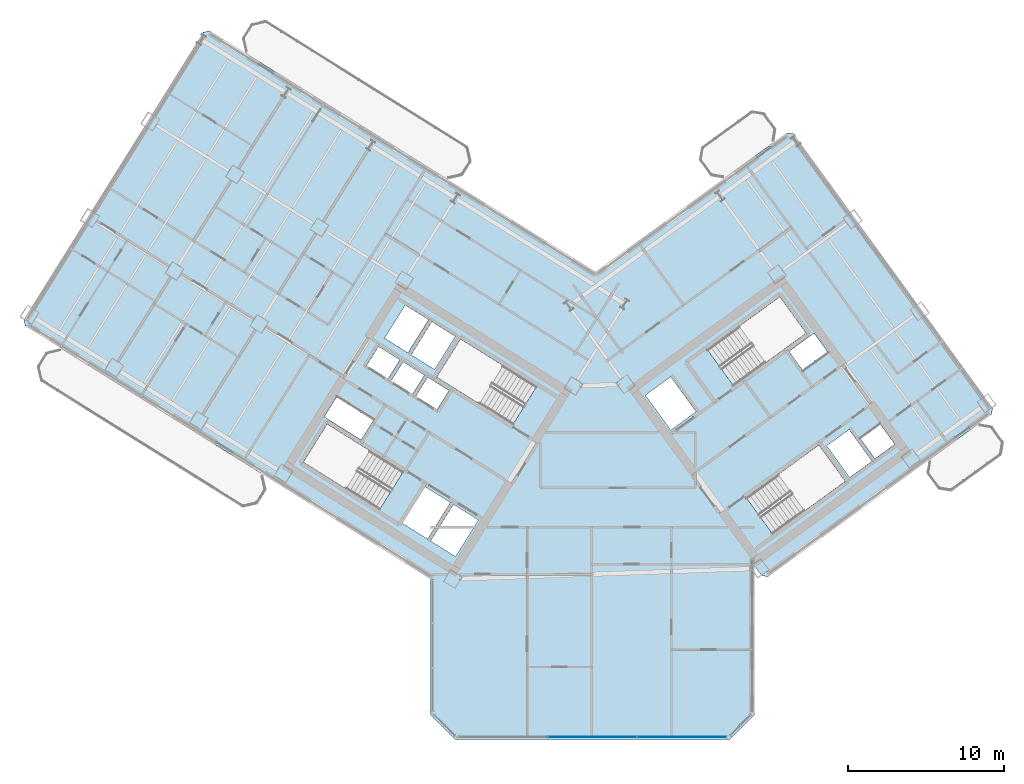
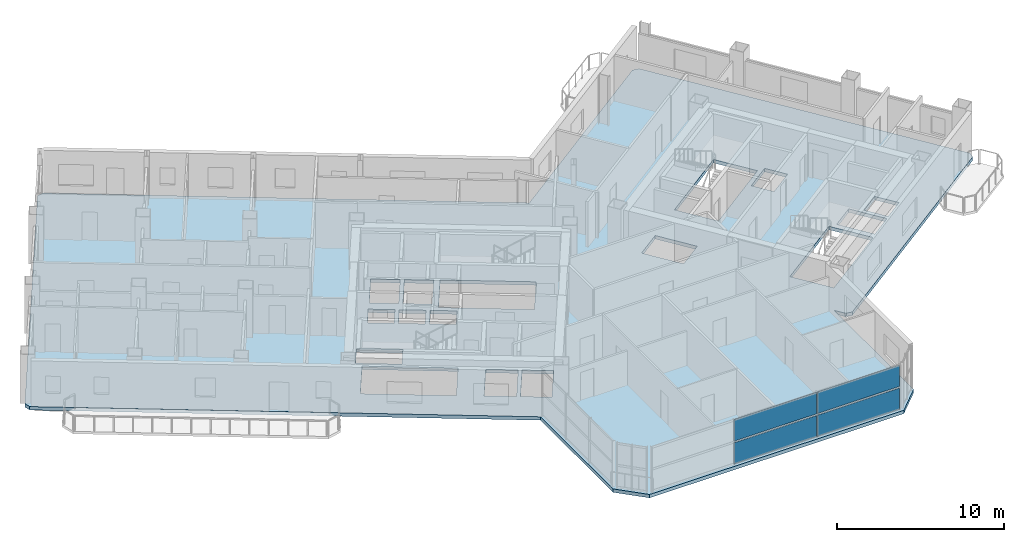
# One storey, part 9 of 21: 4 plates, 1 slab, 1 element without a shape of its own.
"""IFC4 building model written with IfcOpenShell, lengths in metres."""

from ifc_helpers import new_model, si_unit, direction, frame, origin, origin_2d, place, context, subcontext, project, spatial, polyline, rectangle, outline, extrude, source, transform, mapped, material, layer, layer_set, type_object, element, aggregate, save


model = new_model("IFC4")

# Units and contexts
model_context = context("Model", 3, precision=1e-05, world=origin(), true_north=direction((0.0, 1.0)))
body_context = subcontext(model_context, "Body", "Model", "MODEL_VIEW")
ifc_project = project(units=[si_unit("LENGTHUNIT", "METRE"), si_unit("AREAUNIT", "SQUARE_METRE"), si_unit("VOLUMEUNIT", "CUBIC_METRE"), si_unit("PLANEANGLEUNIT", "RADIAN"), si_unit("MASSUNIT", "GRAM", prefix="KILO")], contexts=[model_context])

# Site, building, storey
site_placement = place(None, origin())
site = spatial("IfcSite", under=ifc_project, at=site_placement, CompositionType="ELEMENT")
building_placement = place(site_placement, origin())
building = spatial("IfcBuilding", under=site, at=building_placement, Name="Tlacorven Tower", CompositionType="ELEMENT")
storey_placement = place(building_placement, frame((0.0, 0.0, 112.5)))
storey = spatial("IfcBuildingStorey", under=building, at=storey_placement, Name="L28", CompositionType="ELEMENT", Elevation=112.5)

# Slab
ifc_material_1 = material(Name="Concrete C40/50", Category="concrete")
ifc_layer_1 = layer(ifc_material_1, 0.25)
ifc_layer_set_1 = layer_set([ifc_layer_1], Name="Concrete C40/50")
slab_type = type_object("IfcSlabType", Name="SL-TWR-250", PredefinedType="FLOOR", material=ifc_layer_set_1)
slab_placement = place(storey_placement, frame((0.0, 0.0, -0.25)))
element("IfcSlab", 1, at=slab_placement, inside=storey, type_object=slab_type, Name="L28 Boomerang Tower Floor Slab", PredefinedType="FLOOR", context=body_context, shape_type="SweptSolid", body=[
    extrude(outline(polyline([(52.39990234375, 3.39990234375), (50.800048828125, 1.800048828125), (33.199951171875, 1.800048828125), (31.60009765625, 3.39990234375), (31.60009765625, 12.09423828125), (5.62451171875, 28.32568359375), (5.529052734375, 28.739013671875), (17.0390625, 47.15869140625), (17.452392578125, 47.254150390625), (42.19970703125, 31.790283203125), (54.481689453125, 40.713623046875), (54.90087890625, 40.647216796875), (67.66748046875, 23.075439453125), (67.60107421875, 22.656494140625), (53.265380859375, 12.24072265625), (52.846435546875, 12.30712890625), (52.39990234375, 12.921630859375), (52.39990234375, 3.39990234375)]), holes=[polyline([(29.865478515625, 18.979736328125), (24.9892578125, 22.02685546875), (23.463134765625, 19.58447265625), (28.33935546875, 16.537353515625), (29.865478515625, 18.979736328125)]), polyline([(38.4169921875, 24.4375), (33.540771484375, 27.484375), (32.0146484375, 25.0419921875), (36.890869140625, 21.9951171875), (38.4169921875, 24.4375)]), polyline([(51.05908203125, 24.481689453125), (55.7109375, 27.861572265625), (54.01806640625, 30.19140625), (49.3662109375, 26.811767578125), (51.05908203125, 24.481689453125)]), polyline([(53.56298828125, 14.978759765625), (58.21484375, 18.3583984375), (56.52197265625, 20.6884765625), (51.8701171875, 17.30859375), (53.56298828125, 14.978759765625)]), polyline([(34.682373046875, 15.87548828125), (33.088134765625, 16.871826171875), (31.62548828125, 14.531005859375), (33.2197265625, 13.534912109375), (34.682373046875, 15.87548828125)]), polyline([(32.884521484375, 16.9990234375), (31.2392578125, 18.02685546875), (29.77685546875, 15.686279296875), (31.421875, 14.658203125), (32.884521484375, 16.9990234375)]), polyline([(47.0234375, 21.648681640625), (48.6416015625, 22.82421875), (47.019287109375, 25.05712890625), (45.401123046875, 23.881591796875), (47.0234375, 21.648681640625)]), polyline([(33.197265625, 27.65185546875), (31.704833984375, 28.58447265625), (30.3798828125, 26.46435546875), (31.87255859375, 25.53173828125), (33.197265625, 27.65185546875)]), polyline([(31.484375, 28.722412109375), (29.99169921875, 29.655029296875), (28.6669921875, 27.534912109375), (30.159423828125, 26.602294921875), (31.484375, 28.722412109375)]), polyline([(32.794921875, 24.17724609375), (31.43798828125, 25.025146484375), (30.685546875, 23.82080078125), (32.042236328125, 22.972900390625), (32.794921875, 24.17724609375)]), polyline([(31.217529296875, 25.162841796875), (29.860595703125, 26.0107421875), (29.108154296875, 24.806396484375), (30.465087890625, 23.958740234375), (31.217529296875, 25.162841796875)]), polyline([(29.64013671875, 26.1484375), (28.283203125, 26.996337890625), (27.53076171875, 25.792236328125), (28.8876953125, 24.9443359375), (29.64013671875, 26.1484375)]), polyline([(58.498779296875, 18.614013671875), (59.922607421875, 19.648681640625), (58.453125, 21.671142578125), (57.029296875, 20.63671875), (58.498779296875, 18.614013671875)]), polyline([(27.96142578125, 22.2919921875), (25.603759765625, 23.76513671875), (24.80908203125, 22.4931640625), (27.16650390625, 21.02001953125), (27.96142578125, 22.2919921875)]), polyline([(55.490478515625, 25.4765625), (57.092529296875, 26.640380859375), (56.210693359375, 27.85400390625), (54.60888671875, 26.690185546875), (55.490478515625, 25.4765625)]), polyline([(60.12109375, 19.817626953125), (61.38330078125, 20.734619140625), (60.45458984375, 22.012939453125), (59.192626953125, 21.095947265625), (60.12109375, 19.817626953125)])]), origin(), (0.0, 0.0, 1.0), 0.25),
])

# Curtain wall, plates
ifc_material_2 = material(Name="Dark solar low-E double glazing in aluminium frame", Category="aluminium")
curtain_wall_type = type_object("IfcCurtainWallType", Name="CW-TWR-MID", PredefinedType="USERDEFINED", material=ifc_material_2)
curtain_wall_placement = place(storey_placement, origin())
curtain_wall = element("IfcCurtainWall", 2, at=curtain_wall_placement, inside=storey, type_object=curtain_wall_type, Name="L28 CW-TWR-MID Curtain Wall 140", ObjectType="UNITISED CURTAIN WALL", PredefinedType="USERDEFINED")
ifc_material_3 = material(Name="High-wind dark solar tempered low-E glazing", Category="glass")
ifc_layer_2 = layer(ifc_material_3, 0.028076171875)
ifc_layer_set_2 = layer_set([ifc_layer_2], Name="High-wind dark solar tempered low-E glazing")
plate_type = type_object("IfcPlateType", Name="CWP-03", PredefinedType="CURTAIN_PANEL", material=ifc_layer_set_2)
shared_shape_1 = source(origin(), body_context, "Body", "SweptSolid", [
    extrude(rectangle(XDim=5.67626953125, YDim=0.028076171875, at=origin_2d()), origin(), (0.0, 0.0, 1.0), 1.552978515625),
])
plate_1_placement = place(storey_placement, frame((47.739501953125, 1.9599609375, 0.06103515625), z_axis=(0.0, 0.0, 1.0), x_axis=(-1.0, 0.0, 0.0)))
plate_1 = element("IfcPlate", 3, at=plate_1_placement, type_object=plate_type, Name="CW-L28-140 Glazing Panel 1", PredefinedType="CURTAIN_PANEL", context=body_context, shape_type="MappedRepresentation", body=[
    mapped(shared_shape_1, transform((0.0, 0.0, 0.0), scale=1.0)),
])
plate_2_placement = place(storey_placement, frame((47.739501953125, 1.9599609375, 1.73583984375), z_axis=(0.0, 0.0, 1.0), x_axis=(-1.0, 0.0, 0.0)))
plate_2 = element("IfcPlate", 4, at=plate_2_placement, type_object=plate_type, Name="CW-L28-140 Glazing Panel 2", PredefinedType="CURTAIN_PANEL", context=body_context, shape_type="MappedRepresentation", body=[
    mapped(shared_shape_1, transform((0.0, 0.0, 0.0), scale=1.0)),
])
shared_shape_2 = source(origin(), body_context, "Body", "SweptSolid", [
    extrude(rectangle(XDim=5.708740234375, YDim=0.028076171875, at=origin_2d()), origin(), (0.0, 0.0, 1.0), 1.552978515625),
])
plate_3_placement = place(storey_placement, frame((42.0, 1.9599609375, 0.06103515625), z_axis=(0.0, 0.0, 1.0), x_axis=(-1.0, 0.0, 0.0)))
plate_3 = element("IfcPlate", 5, at=plate_3_placement, type_object=plate_type, Name="CW-L28-140 Glazing Panel 3", PredefinedType="CURTAIN_PANEL", context=body_context, shape_type="MappedRepresentation", body=[
    mapped(shared_shape_2, transform((0.0, 0.0, 0.0), scale=1.0)),
])
plate_4_placement = place(storey_placement, frame((42.0, 1.9599609375, 1.73583984375), z_axis=(0.0, 0.0, 1.0), x_axis=(-1.0, 0.0, 0.0)))
plate_4 = element("IfcPlate", 6, at=plate_4_placement, type_object=plate_type, Name="CW-L28-140 Glazing Panel 4", PredefinedType="CURTAIN_PANEL", context=body_context, shape_type="MappedRepresentation", body=[
    mapped(shared_shape_2, transform((0.0, 0.0, 0.0), scale=1.0)),
])
aggregate(curtain_wall, [plate_1, plate_2, plate_3, plate_4])

save(model, "model.ifc")
